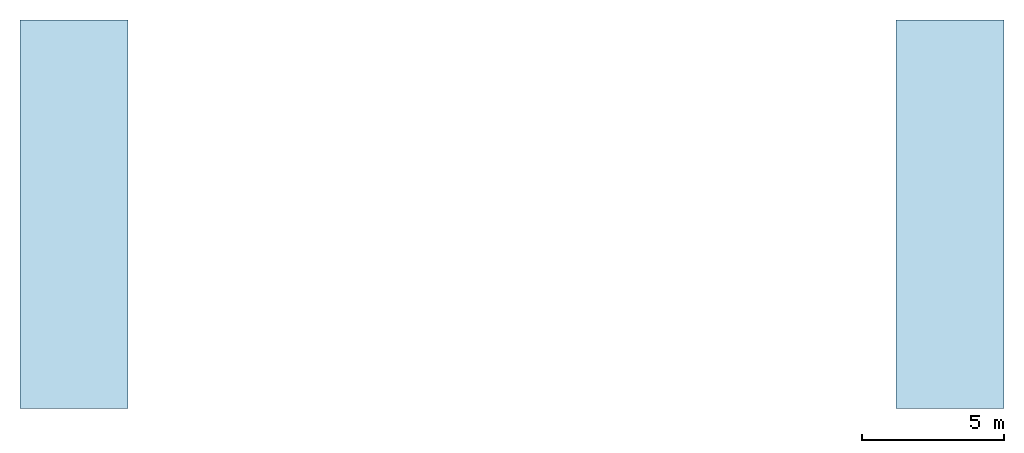
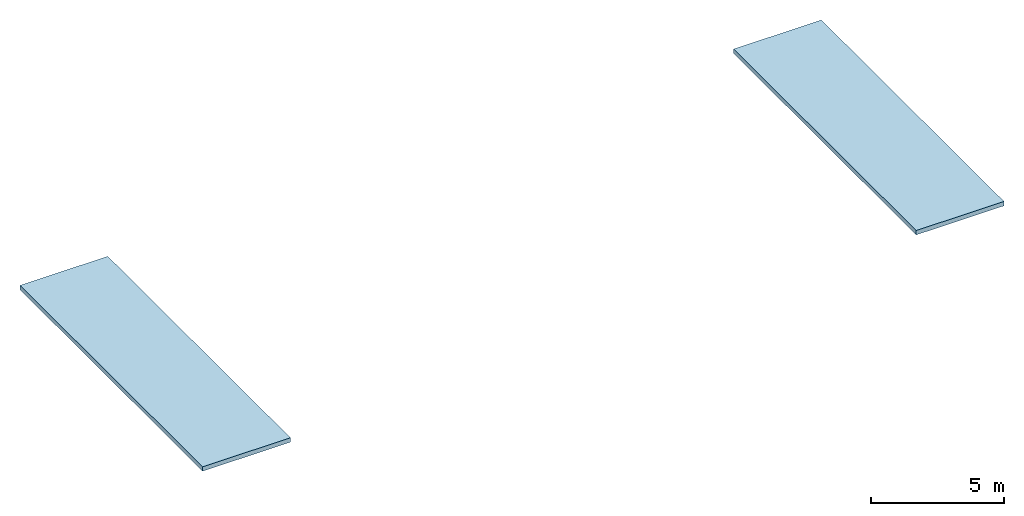
# One storey: 2 slabs.
"""IFC4 building model written with IfcOpenShell, lengths in metres."""

from ifc_helpers import new_model, si_unit, direction, frame, origin, place, context, subcontext, project, spatial, polyline, outline, extrude, material, layer, layer_set, type_object, element, save


model = new_model("IFC4")

# Units and contexts
model_context = context("Model", 3, precision=1e-05, world=origin(), true_north=direction((0.0, 1.0)))
body_context = subcontext(model_context, "Body", "Model", "MODEL_VIEW")
ifc_project = project(units=[si_unit("LENGTHUNIT", "METRE"), si_unit("AREAUNIT", "SQUARE_METRE"), si_unit("VOLUMEUNIT", "CUBIC_METRE"), si_unit("PLANEANGLEUNIT", "RADIAN"), si_unit("MASSUNIT", "GRAM", prefix="KILO")], contexts=[model_context])

# Site, building, storey
site_placement = place(None, origin())
site = spatial("IfcSite", under=ifc_project, at=site_placement, CompositionType="ELEMENT")
building_placement = place(site_placement, origin())
building = spatial("IfcBuilding", under=site, at=building_placement, Name="Rattan Terrace Tower", CompositionType="ELEMENT")
storey_placement = place(building_placement, frame((0.0, 0.0, 321.89990234375)))
storey = spatial("IfcBuildingStorey", under=building, at=storey_placement, Name="ROOF-HH", CompositionType="ELEMENT", Elevation=321.89990234375)

# Slabs
ifc_material = material(Name="Concrete C40/50", Category="concrete")
ifc_layer = layer(ifc_material, 0.199951171875)
ifc_layer_set = layer_set([ifc_layer], Name="Stair head-house roof")
slab_type = type_object("IfcSlabType", Name="Stair head-house roof", PredefinedType="ROOF", material=ifc_layer_set)
slab_1_placement = place(storey_placement, frame((0.0, 0.0, -0.199951171875)))
element("IfcSlab", 1, at=slab_1_placement, inside=storey, type_object=slab_type, Name="Stair head-house S1 roof", PredefinedType="ROOF", context=body_context, shape_type="SweptSolid", body=[
    extrude(outline(polyline([(-17.35009765625, -6.85009765625), (-13.550048828125, -6.85009765625), (-13.550048828125, 6.85009765625), (-17.35009765625, 6.85009765625), (-17.35009765625, -6.85009765625)])), origin(), (0.0, 0.0, 1.0), 0.199951171875),
])
slab_2_placement = place(storey_placement, frame((0.0, 0.0, -0.199951171875)))
element("IfcSlab", 2, at=slab_2_placement, inside=storey, type_object=slab_type, Name="Stair head-house S2 roof", PredefinedType="ROOF", context=body_context, shape_type="SweptSolid", body=[
    extrude(outline(polyline([(13.550048828125, -6.85009765625), (17.35009765625, -6.85009765625), (17.35009765625, 6.85009765625), (13.550048828125, 6.85009765625), (13.550048828125, -6.85009765625)])), origin(), (0.0, 0.0, 1.0), 0.199951171875),
])

save(model, "model.ifc")
